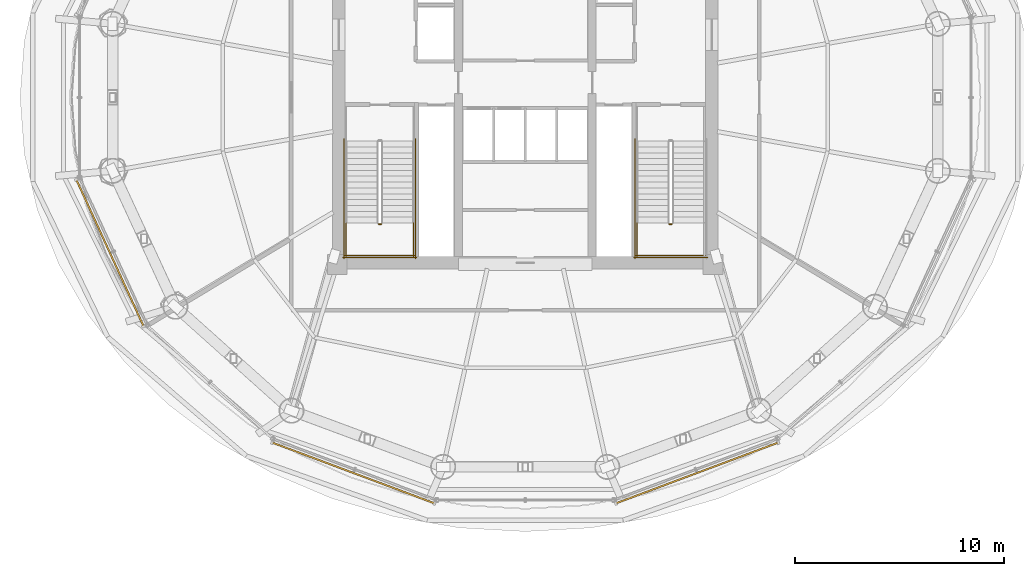
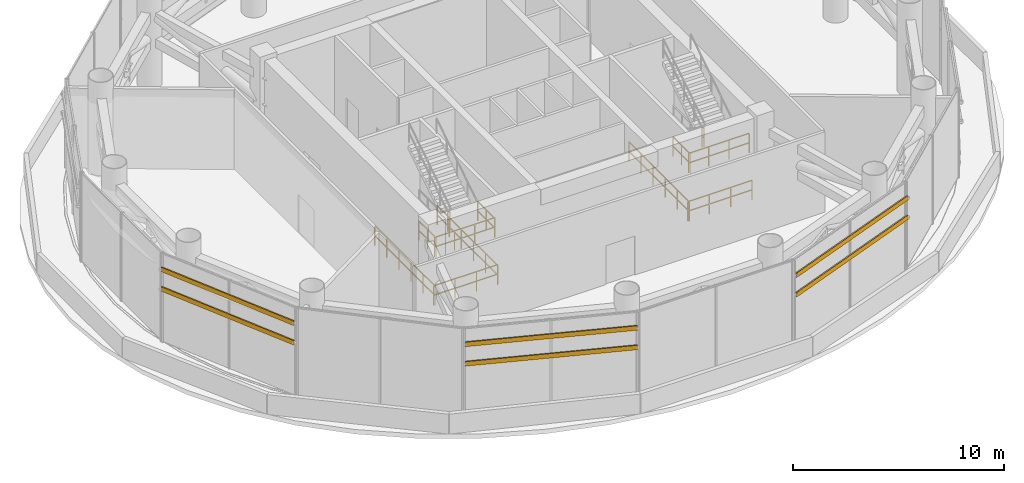
# One storey, part 23 of 25: 12 railings, 6 shading devices.
"""IFC4 building model written with IfcOpenShell, lengths in metres."""

from ifc_helpers import new_model, si_unit, direction, frame, origin, origin_2d, place, context, subcontext, project, spatial, rectangle, hollow_rectangle, extrude, source, transform, mapped, material, material_profile, profile_set, type_object, element, save


model = new_model("IFC4")

# Units and contexts
model_context = context("Model", 3, precision=1e-05, world=origin(), true_north=direction((-0.2419218956, 0.970295726276)))
body_context = subcontext(model_context, "Body", "Model", "MODEL_VIEW")
ifc_project = project(units=[si_unit("LENGTHUNIT", "METRE"), si_unit("AREAUNIT", "SQUARE_METRE"), si_unit("VOLUMEUNIT", "CUBIC_METRE"), si_unit("PLANEANGLEUNIT", "RADIAN"), si_unit("MASSUNIT", "GRAM", prefix="KILO")], contexts=[model_context])

# Site, building, storey
site_placement = place(None, origin())
site = spatial("IfcSite", under=ifc_project, at=site_placement, CompositionType="ELEMENT")
building_placement = place(site_placement, origin())
building = spatial("IfcBuilding", under=site, at=building_placement, Name="Cobrevalo Terracotta Tower", CompositionType="ELEMENT")
storey_placement = place(building_placement, frame((0.0, 0.0, 185.800048828125)))
storey = spatial("IfcBuildingStorey", under=building, at=storey_placement, Name="L49", CompositionType="ELEMENT", Elevation=185.800048828125)

# Railings
ifc_material_1 = material(Name="Painted galvanized steel", Category="steel")
railing_type = type_object("IfcRailingType", Name="Stair Well Guard Balustrade 1150", PredefinedType="GUARDRAIL", material=ifc_material_1)
railing_1_placement = place(storey_placement, frame((30.97509765625, 20.72998046875, 2.699951171875)))
element("IfcRailing", 1, at=railing_1_placement, inside=storey, type_object=railing_type, Name="L49 ST-1 stair guard 2", PredefinedType="GUARDRAIL", context=body_context, shape_type="SweptSolid", body=[
    extrude(rectangle(XDim=0.048095703125, YDim=0.048095703125, at=origin_2d()), frame((0.0, 0.0, 1.1259765625), z_axis=(1.0, 0.0, 0.0), x_axis=(0.0, 1.0, 0.0)), (0.0, 0.0, 1.0), 0.119873046875),
    extrude(rectangle(XDim=0.048095703125, YDim=0.048095703125, at=origin_2d()), frame((0.0, 0.0, 0.574951171875), z_axis=(1.0, 0.0, 0.0), x_axis=(0.0, 1.0, 0.0)), (0.0, 0.0, 1.0), 0.119873046875),
    extrude(rectangle(XDim=0.0419921875, YDim=0.0419921875, at=origin_2d()), origin(), (0.0, 0.0, 1.0), 1.101806640625),
    extrude(rectangle(XDim=0.0419921875, YDim=0.0419921875, at=origin_2d()), frame((0.119873046875, 0.0, 0.0)), (0.0, 0.0, 1.0), 1.101806640625),
])
for number, where, name in (
    (2, (29.425048828125, 20.780029296875, 2.699951171875), "L49 ST-1 stair guard 3"),
    (3, (32.64501953125, 20.780029296875, 2.699951171875), "L49 ST-1 stair guard 4"),
):
    element("IfcRailing", number, at=place(storey_placement, frame(where)), inside=storey, type_object=railing_type, Name=name, PredefinedType="GUARDRAIL", context=body_context, shape_type="SweptSolid", body=[
        extrude(rectangle(XDim=0.048095703125, YDim=0.048095703125, at=origin_2d()), frame((0.0, 0.0, 1.1259765625), z_axis=(0.0, -1.0, 0.0), x_axis=(1.0, 0.0, 0.0)), (0.0, 0.0, 1.0), 1.60498046875),
        extrude(rectangle(XDim=0.048095703125, YDim=0.048095703125, at=origin_2d()), frame((0.0, 0.0, 0.574951171875), z_axis=(0.0, -1.0, 0.0), x_axis=(1.0, 0.0, 0.0)), (0.0, 0.0, 1.0), 1.60498046875),
        extrude(rectangle(XDim=0.0419921875, YDim=0.0419921875, at=origin_2d()), origin(), (0.0, 0.0, 1.0), 1.101806640625),
        extrude(rectangle(XDim=0.0419921875, YDim=0.0419921875, at=origin_2d()), frame((0.0, -0.802490234375, 0.0)), (0.0, 0.0, 1.0), 1.101806640625),
        extrude(rectangle(XDim=0.0419921875, YDim=0.0419921875, at=origin_2d()), frame((0.0, -1.60498046875, 0.0)), (0.0, 0.0, 1.0), 1.101806640625),
    ])
railing_2_placement = place(storey_placement, frame((29.375, 19.22509765625, 2.699951171875)))
element("IfcRailing", 4, at=railing_2_placement, inside=storey, type_object=railing_type, Name="L49 ST-1 stair guard 5", PredefinedType="GUARDRAIL", context=body_context, shape_type="SweptSolid", body=[
    extrude(rectangle(XDim=0.048095703125, YDim=0.048095703125, at=origin_2d()), frame((0.0, 0.0, 1.1259765625), z_axis=(1.0, 0.0, 0.0), x_axis=(0.0, 1.0, 0.0)), (0.0, 0.0, 1.0), 3.320068359375),
    extrude(rectangle(XDim=0.048095703125, YDim=0.048095703125, at=origin_2d()), frame((0.0, 0.0, 0.574951171875), z_axis=(1.0, 0.0, 0.0), x_axis=(0.0, 1.0, 0.0)), (0.0, 0.0, 1.0), 3.320068359375),
    extrude(rectangle(XDim=0.0419921875, YDim=0.0419921875, at=origin_2d()), origin(), (0.0, 0.0, 1.0), 1.101806640625),
    extrude(rectangle(XDim=0.0419921875, YDim=0.0419921875, at=origin_2d()), frame((1.106689453125, 0.0, 0.0)), (0.0, 0.0, 1.0), 1.101806640625),
    extrude(rectangle(XDim=0.0419921875, YDim=0.0419921875, at=origin_2d()), frame((2.21337890625, 0.0, 0.0)), (0.0, 0.0, 1.0), 1.101806640625),
    extrude(rectangle(XDim=0.0419921875, YDim=0.0419921875, at=origin_2d()), frame((3.320068359375, 0.0, 0.0)), (0.0, 0.0, 1.0), 1.101806640625),
])
for number, where, name in (
    (5, (29.324951171875, 24.800048828125, 0.0), "L49 ST-1 stair guard 10"),
    (6, (32.7451171875, 24.800048828125, 0.0), "L49 ST-1 stair guard 11"),
):
    element("IfcRailing", number, at=place(storey_placement, frame(where)), inside=storey, type_object=railing_type, Name=name, PredefinedType="GUARDRAIL", context=body_context, shape_type="SweptSolid", body=[
        extrude(rectangle(XDim=0.048095703125, YDim=0.048095703125, at=origin_2d()), frame((0.0, 0.0, 1.1259765625), z_axis=(0.0, -1.0, 0.0), x_axis=(1.0, 0.0, 0.0)), (0.0, 0.0, 1.0), 5.72509765625),
        extrude(rectangle(XDim=0.048095703125, YDim=0.048095703125, at=origin_2d()), frame((0.0, 0.0, 0.574951171875), z_axis=(0.0, -1.0, 0.0), x_axis=(1.0, 0.0, 0.0)), (0.0, 0.0, 1.0), 5.72509765625),
        extrude(rectangle(XDim=0.0419921875, YDim=0.0419921875, at=origin_2d()), origin(), (0.0, 0.0, 1.0), 1.101806640625),
        extrude(rectangle(XDim=0.0419921875, YDim=0.0419921875, at=origin_2d()), frame((0.0, -1.14501953125, 0.0)), (0.0, 0.0, 1.0), 1.101806640625),
        extrude(rectangle(XDim=0.0419921875, YDim=0.0419921875, at=origin_2d()), frame((0.0, -2.2900390625, 0.0)), (0.0, 0.0, 1.0), 1.101806640625),
        extrude(rectangle(XDim=0.0419921875, YDim=0.0419921875, at=origin_2d()), frame((0.0, -3.43505859375, 0.0)), (0.0, 0.0, 1.0), 1.101806640625),
        extrude(rectangle(XDim=0.0419921875, YDim=0.0419921875, at=origin_2d()), frame((0.0, -4.580078125, 0.0)), (0.0, 0.0, 1.0), 1.101806640625),
        extrude(rectangle(XDim=0.0419921875, YDim=0.0419921875, at=origin_2d()), frame((0.0, -5.72509765625, 0.0)), (0.0, 0.0, 1.0), 1.101806640625),
    ])
railing_3_placement = place(storey_placement, frame((29.27490234375, 19.125, 0.0)))
element("IfcRailing", 7, at=railing_3_placement, inside=storey, type_object=railing_type, Name="L49 ST-1 stair guard 12", PredefinedType="GUARDRAIL", context=body_context, shape_type="SweptSolid", body=[
    extrude(rectangle(XDim=0.048095703125, YDim=0.048095703125, at=origin_2d()), frame((0.0, 0.0, 1.1259765625), z_axis=(1.0, 0.0, 0.0), x_axis=(0.0, 1.0, 0.0)), (0.0, 0.0, 1.0), 3.52001953125),
    extrude(rectangle(XDim=0.048095703125, YDim=0.048095703125, at=origin_2d()), frame((0.0, 0.0, 0.574951171875), z_axis=(1.0, 0.0, 0.0), x_axis=(0.0, 1.0, 0.0)), (0.0, 0.0, 1.0), 3.52001953125),
    extrude(rectangle(XDim=0.0419921875, YDim=0.0419921875, at=origin_2d()), origin(), (0.0, 0.0, 1.0), 1.101806640625),
    extrude(rectangle(XDim=0.0419921875, YDim=0.0419921875, at=origin_2d()), frame((1.17333984375, 0.0, 0.0)), (0.0, 0.0, 1.0), 1.101806640625),
    extrude(rectangle(XDim=0.0419921875, YDim=0.0419921875, at=origin_2d()), frame((2.3466796875, 0.0, 0.0)), (0.0, 0.0, 1.0), 1.101806640625),
    extrude(rectangle(XDim=0.0419921875, YDim=0.0419921875, at=origin_2d()), frame((3.52001953125, 0.0, 0.0)), (0.0, 0.0, 1.0), 1.101806640625),
])
railing_4_placement = place(storey_placement, frame((44.905029296875, 20.72998046875, 2.699951171875)))
element("IfcRailing", 8, at=railing_4_placement, inside=storey, type_object=railing_type, Name="L49 ST-2 stair guard 2", PredefinedType="GUARDRAIL", context=body_context, shape_type="SweptSolid", body=[
    extrude(rectangle(XDim=0.048095703125, YDim=0.048095703125, at=origin_2d()), frame((0.0, 0.0, 1.1259765625), z_axis=(1.0, 0.0, 0.0), x_axis=(0.0, 1.0, 0.0)), (0.0, 0.0, 1.0), 0.119873046875),
    extrude(rectangle(XDim=0.048095703125, YDim=0.048095703125, at=origin_2d()), frame((0.0, 0.0, 0.574951171875), z_axis=(1.0, 0.0, 0.0), x_axis=(0.0, 1.0, 0.0)), (0.0, 0.0, 1.0), 0.119873046875),
    extrude(rectangle(XDim=0.0419921875, YDim=0.0419921875, at=origin_2d()), origin(), (0.0, 0.0, 1.0), 1.101806640625),
    extrude(rectangle(XDim=0.0419921875, YDim=0.0419921875, at=origin_2d()), frame((0.119873046875, 0.0, 0.0)), (0.0, 0.0, 1.0), 1.101806640625),
])
railing_5_placement = place(storey_placement, frame((43.35498046875, 20.780029296875, 2.699951171875)))
element("IfcRailing", 9, at=railing_5_placement, inside=storey, type_object=railing_type, Name="L49 ST-2 stair guard 3", PredefinedType="GUARDRAIL", context=body_context, shape_type="SweptSolid", body=[
    extrude(rectangle(XDim=0.048095703125, YDim=0.048095703125, at=origin_2d()), frame((0.0, 0.0, 1.1259765625), z_axis=(0.0, -1.0, 0.0), x_axis=(1.0, 0.0, 0.0)), (0.0, 0.0, 1.0), 1.60498046875),
    extrude(rectangle(XDim=0.048095703125, YDim=0.048095703125, at=origin_2d()), frame((0.0, 0.0, 0.574951171875), z_axis=(0.0, -1.0, 0.0), x_axis=(1.0, 0.0, 0.0)), (0.0, 0.0, 1.0), 1.60498046875),
    extrude(rectangle(XDim=0.0419921875, YDim=0.0419921875, at=origin_2d()), origin(), (0.0, 0.0, 1.0), 1.101806640625),
    extrude(rectangle(XDim=0.0419921875, YDim=0.0419921875, at=origin_2d()), frame((0.0, -0.802490234375, 0.0)), (0.0, 0.0, 1.0), 1.101806640625),
    extrude(rectangle(XDim=0.0419921875, YDim=0.0419921875, at=origin_2d()), frame((0.0, -1.60498046875, 0.0)), (0.0, 0.0, 1.0), 1.101806640625),
])
railing_6_placement = place(storey_placement, frame((43.304931640625, 19.22509765625, 2.699951171875)))
element("IfcRailing", 10, at=railing_6_placement, inside=storey, type_object=railing_type, Name="L49 ST-2 stair guard 5", PredefinedType="GUARDRAIL", context=body_context, shape_type="SweptSolid", body=[
    extrude(rectangle(XDim=0.048095703125, YDim=0.048095703125, at=origin_2d()), frame((0.0, 0.0, 1.1259765625), z_axis=(1.0, 0.0, 0.0), x_axis=(0.0, 1.0, 0.0)), (0.0, 0.0, 1.0), 3.320068359375),
    extrude(rectangle(XDim=0.048095703125, YDim=0.048095703125, at=origin_2d()), frame((0.0, 0.0, 0.574951171875), z_axis=(1.0, 0.0, 0.0), x_axis=(0.0, 1.0, 0.0)), (0.0, 0.0, 1.0), 3.320068359375),
    extrude(rectangle(XDim=0.0419921875, YDim=0.0419921875, at=origin_2d()), origin(), (0.0, 0.0, 1.0), 1.101806640625),
    extrude(rectangle(XDim=0.0419921875, YDim=0.0419921875, at=origin_2d()), frame((1.106689453125, 0.0, 0.0)), (0.0, 0.0, 1.0), 1.101806640625),
    extrude(rectangle(XDim=0.0419921875, YDim=0.0419921875, at=origin_2d()), frame((2.21337890625, 0.0, 0.0)), (0.0, 0.0, 1.0), 1.101806640625),
    extrude(rectangle(XDim=0.0419921875, YDim=0.0419921875, at=origin_2d()), frame((3.320068359375, 0.0, 0.0)), (0.0, 0.0, 1.0), 1.101806640625),
])
railing_7_placement = place(storey_placement, frame((43.2548828125, 24.800048828125, 0.0)))
element("IfcRailing", 11, at=railing_7_placement, inside=storey, type_object=railing_type, Name="L49 ST-2 stair guard 10", PredefinedType="GUARDRAIL", context=body_context, shape_type="SweptSolid", body=[
    extrude(rectangle(XDim=0.048095703125, YDim=0.048095703125, at=origin_2d()), frame((0.0, 0.0, 1.1259765625), z_axis=(0.0, -1.0, 0.0), x_axis=(1.0, 0.0, 0.0)), (0.0, 0.0, 1.0), 5.72509765625),
    extrude(rectangle(XDim=0.048095703125, YDim=0.048095703125, at=origin_2d()), frame((0.0, 0.0, 0.574951171875), z_axis=(0.0, -1.0, 0.0), x_axis=(1.0, 0.0, 0.0)), (0.0, 0.0, 1.0), 5.72509765625),
    extrude(rectangle(XDim=0.0419921875, YDim=0.0419921875, at=origin_2d()), origin(), (0.0, 0.0, 1.0), 1.101806640625),
    extrude(rectangle(XDim=0.0419921875, YDim=0.0419921875, at=origin_2d()), frame((0.0, -1.14501953125, 0.0)), (0.0, 0.0, 1.0), 1.101806640625),
    extrude(rectangle(XDim=0.0419921875, YDim=0.0419921875, at=origin_2d()), frame((0.0, -2.2900390625, 0.0)), (0.0, 0.0, 1.0), 1.101806640625),
    extrude(rectangle(XDim=0.0419921875, YDim=0.0419921875, at=origin_2d()), frame((0.0, -3.43505859375, 0.0)), (0.0, 0.0, 1.0), 1.101806640625),
    extrude(rectangle(XDim=0.0419921875, YDim=0.0419921875, at=origin_2d()), frame((0.0, -4.580078125, 0.0)), (0.0, 0.0, 1.0), 1.101806640625),
    extrude(rectangle(XDim=0.0419921875, YDim=0.0419921875, at=origin_2d()), frame((0.0, -5.72509765625, 0.0)), (0.0, 0.0, 1.0), 1.101806640625),
])
railing_8_placement = place(storey_placement, frame((43.205078125, 19.125, 0.0)))
element("IfcRailing", 12, at=railing_8_placement, inside=storey, type_object=railing_type, Name="L49 ST-2 stair guard 12", PredefinedType="GUARDRAIL", context=body_context, shape_type="SweptSolid", body=[
    extrude(rectangle(XDim=0.048095703125, YDim=0.048095703125, at=origin_2d()), frame((0.0, 0.0, 1.1259765625), z_axis=(1.0, 0.0, 0.0), x_axis=(0.0, 1.0, 0.0)), (0.0, 0.0, 1.0), 3.52001953125),
    extrude(rectangle(XDim=0.048095703125, YDim=0.048095703125, at=origin_2d()), frame((0.0, 0.0, 0.574951171875), z_axis=(1.0, 0.0, 0.0), x_axis=(0.0, 1.0, 0.0)), (0.0, 0.0, 1.0), 3.52001953125),
    extrude(rectangle(XDim=0.0419921875, YDim=0.0419921875, at=origin_2d()), origin(), (0.0, 0.0, 1.0), 1.101806640625),
    extrude(rectangle(XDim=0.0419921875, YDim=0.0419921875, at=origin_2d()), frame((1.17333984375, 0.0, 0.0)), (0.0, 0.0, 1.0), 1.101806640625),
    extrude(rectangle(XDim=0.0419921875, YDim=0.0419921875, at=origin_2d()), frame((2.3466796875, 0.0, 0.0)), (0.0, 0.0, 1.0), 1.101806640625),
    extrude(rectangle(XDim=0.0419921875, YDim=0.0419921875, at=origin_2d()), frame((3.52001953125, 0.0, 0.0)), (0.0, 0.0, 1.0), 1.101806640625),
])

# Shading devices
ifc_material_2 = material(Name="Anodized aluminium and terracotta", Category="masonry")
ifc_material_profile = material_profile(ifc_material_2, hollow_rectangle(XDim=0.074951171875, YDim=0.260009765625, WallThickness=0.006103515625, at=origin_2d()), Name="LOUVRE BLADE 75x260")
ifc_profile_set = profile_set([ifc_material_profile], Name="Anodized aluminium and terracotta")
shading_device_type = type_object("IfcShadingDeviceType", Name="Plant Acoustic Weather Louvre Blade 75x260", PredefinedType="USERDEFINED", material=ifc_profile_set)
shared_shape_1 = source(origin(), body_context, "Body", "SweptSolid", [
    extrude(hollow_rectangle(XDim=0.074951171875, YDim=0.260009765625, WallThickness=0.006103515625, at=origin_2d()), origin(), (0.0, 0.0, 1.0), 8.29931640625),
])
for number, where, z_axis, x_axis, name in (
    (13, (25.879638671875, 10.262451171875, 3.18359375), (0.936559881081, -0.350507616392, 0.0), (0.350507616392, 0.936559881081, 0.0), "CW-LV-L49-S11 horizontal terracotta louvre 1"),
    (14, (25.879638671875, 10.262451171875, 4.313232421875), (0.936559881081, -0.350507616392, 0.0), (0.350507616392, 0.936559881081, 0.0), "CW-LV-L49-S11 horizontal terracotta louvre 2"),
    (15, (42.34765625, 7.353515625, 3.18359375), (0.936559881081, 0.350507616392, 0.0), (-0.350507616392, 0.936559881081, 0.0), "CW-LV-L49-S13 horizontal terracotta louvre 1"),
    (16, (42.34765625, 7.353515625, 4.313232421875), (0.936559881081, 0.350507616392, 0.0), (-0.350507616392, 0.936559881081, 0.0), "CW-LV-L49-S13 horizontal terracotta louvre 2"),
):
    element("IfcShadingDevice", number, at=place(storey_placement, frame(where, z_axis=z_axis, x_axis=x_axis)), inside=storey, type_object=shading_device_type, Name=name, ObjectType="LOUVRE", PredefinedType="USERDEFINED", context=body_context, shape_type="MappedRepresentation", body=[
        mapped(shared_shape_1, transform((0.0, 0.0, 0.0), scale=1.0)),
    ])
shared_shape_2 = source(origin(), body_context, "Body", "SweptSolid", [
    extrude(hollow_rectangle(XDim=0.074951171875, YDim=0.260009765625, WallThickness=0.006103515625, at=origin_2d()), origin(), (0.0, 0.0, 1.0), 7.72021484375),
])
for number, where, z_axis, x_axis, name in (
    (17, (16.50146484375, 22.851318359375, 3.18359375), (0.416700443543, -0.909043860521, 0.0), (0.909043860521, 0.416700443543, 0.0), "CW-LV-L49-S09 horizontal terracotta louvre 1"),
    (18, (16.50146484375, 22.851318359375, 4.313232421875), (0.416700443543, -0.909043860521, 0.0), (0.909043860521, 0.416700443543, 0.0), "CW-LV-L49-S09 horizontal terracotta louvre 2"),
):
    element("IfcShadingDevice", number, at=place(storey_placement, frame(where, z_axis=z_axis, x_axis=x_axis)), inside=storey, type_object=shading_device_type, Name=name, ObjectType="LOUVRE", PredefinedType="USERDEFINED", context=body_context, shape_type="MappedRepresentation", body=[
        mapped(shared_shape_2, transform((0.0, 0.0, 0.0), scale=1.0)),
    ])

save(model, "model.ifc")
